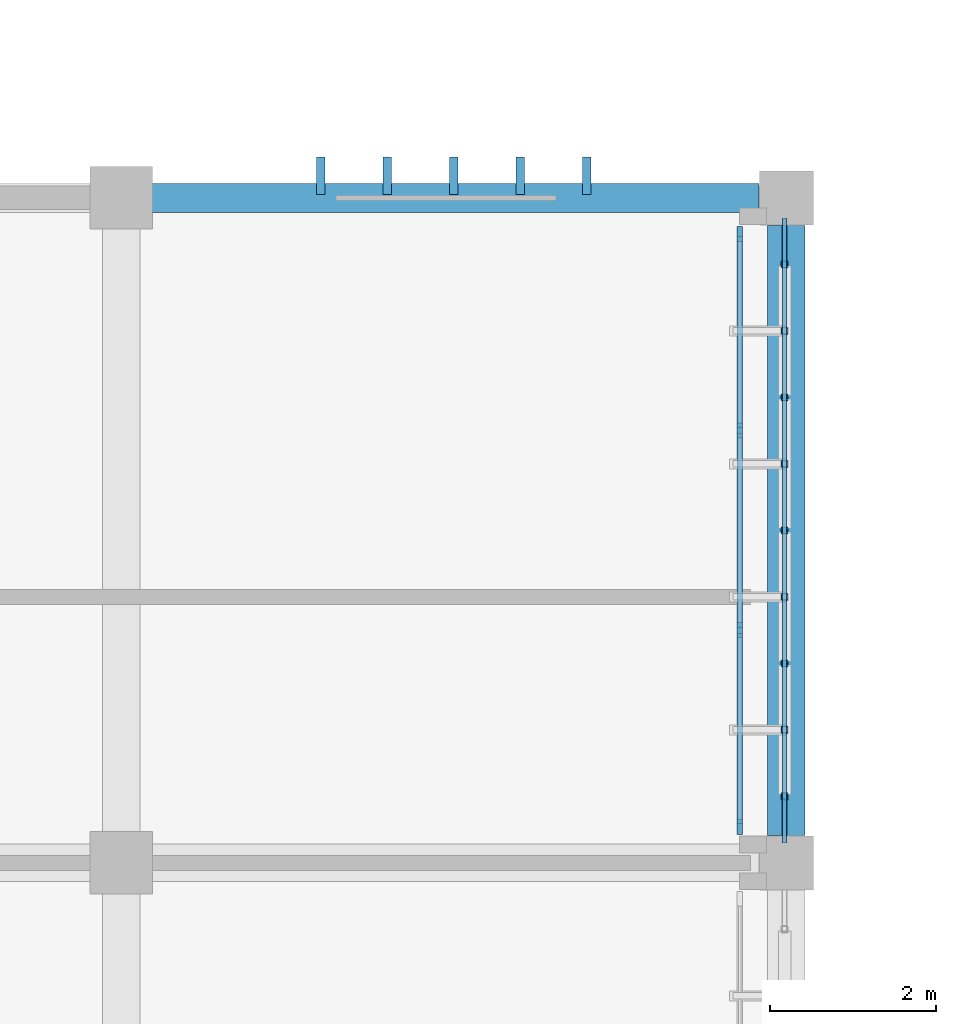
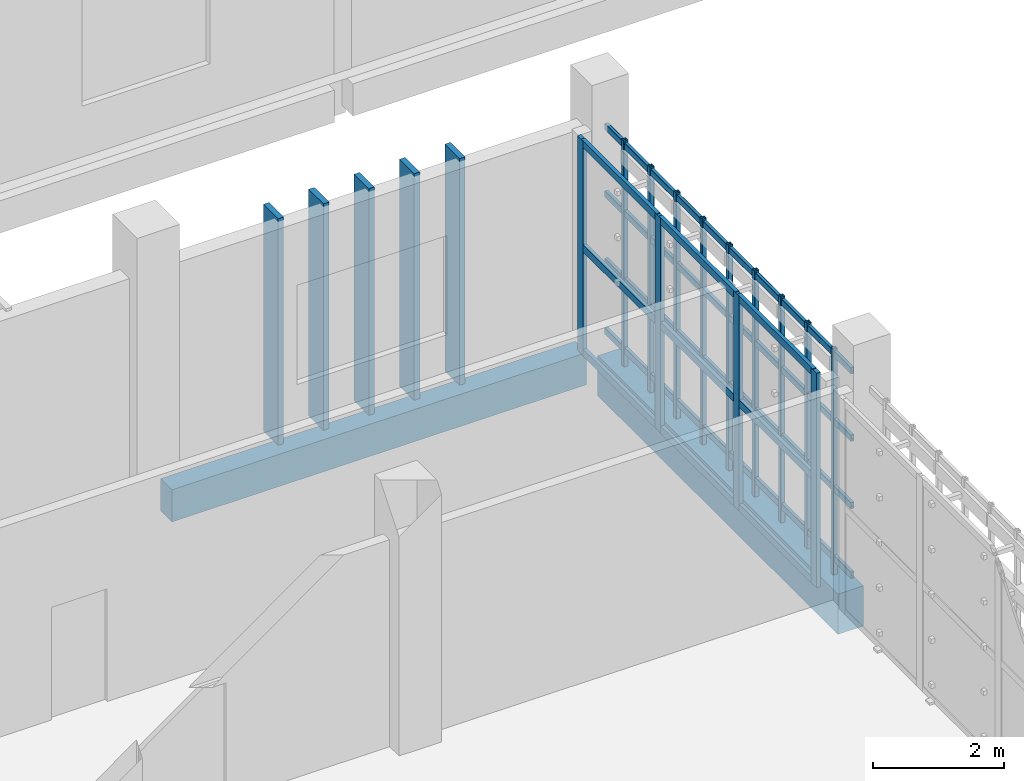
# One storey, part 64 of 106: 31 members, 2 beams, 1 element without a shape of its own.
"""IFC4 building model written with IfcOpenShell, lengths in metres."""

from ifc_helpers import new_model, si_unit, direction, frame, origin, origin_2d, place, context, subcontext, project, spatial, rectangle, hollow_rectangle, extrude, material, layer, layer_set, material_profile, profile_set, type_object, element, aggregate, save


model = new_model("IFC4")

# Units and contexts
model_context = context("Model", 3, precision=1e-05, world=origin(), true_north=direction((0.0, 1.0)))
body_context = subcontext(model_context, "Body", "Model", "MODEL_VIEW")
ifc_project = project(units=[si_unit("LENGTHUNIT", "METRE"), si_unit("AREAUNIT", "SQUARE_METRE"), si_unit("VOLUMEUNIT", "CUBIC_METRE"), si_unit("PLANEANGLEUNIT", "RADIAN"), si_unit("MASSUNIT", "GRAM", prefix="KILO")], contexts=[model_context])

# Site, building, storey
site_placement = place(None, origin())
site = spatial("IfcSite", under=ifc_project, at=site_placement, CompositionType="ELEMENT")
building_placement = place(site_placement, origin())
building = spatial("IfcBuilding", under=site, at=building_placement, Name="Jelvoka-Kovrelna Polytechnic", CompositionType="ELEMENT")
storey_placement = place(building_placement, frame((0.0, 0.0, 4.800048828125)))
storey = spatial("IfcBuildingStorey", under=building, at=storey_placement, Name="L02", CompositionType="ELEMENT", Elevation=4.800048828125)

# Beam
ifc_material_1 = material(Name="Concrete C40/50", Category="concrete")
ifc_material_profile_1 = material_profile(ifc_material_1, rectangle(XDim=0.449951171875, YDim=0.75, at=origin_2d()), Name="RC 450x750")
ifc_profile_set_1 = profile_set([ifc_material_profile_1], Name="Concrete C40/50")
beam_type_1 = type_object("IfcBeamType", Name="Beam_RC_450x750", PredefinedType="BEAM", material=ifc_profile_set_1)
beam_1_placement = place(storey_placement, frame((192.0, 64.330078125, -0.64013671875), z_axis=(0.0, 1.0, 0.0), x_axis=(-1.0, 0.0, 0.0)))
element("IfcBeam", 1, at=beam_1_placement, inside=storey, type_object=beam_type_1, Name="L02 beam 0838", PredefinedType="BEAM", context=body_context, shape_type="SweptSolid", body=[
    extrude(rectangle(XDim=0.449951171875, YDim=0.75, at=origin_2d()), origin(), (0.0, 0.0, 1.0), 7.33984375),
])

# Members
ifc_material_2 = material(Name="Precast concrete C40/50", Category="concrete")
ifc_material_profile_2 = material_profile(ifc_material_2, rectangle(XDim=0.10009765625, YDim=0.449951171875, at=origin_2d()), Name="PC 100x450")
ifc_profile_set_2 = profile_set([ifc_material_profile_2], Name="Precast concrete C40/50")
member_type_1 = type_object("IfcMemberType", Name="Louvre_Fin_100x450", PredefinedType="USERDEFINED", material=ifc_profile_set_2)
for number, where, z_axis, x_axis, name in (
    (2, (186.39990234375, 72.264892578125, -0.27001953125), (0.0, 0.0, 1.0), (1.0, 0.0, 0.0), "L02 B3 north vertical solar louvre fin 1456"),
    (3, (187.199951171875, 72.264892578125, -0.27001953125), (0.0, 0.0, 1.0), (1.0, 0.0, 0.0), "L02 B3 north vertical solar louvre fin 1457"),
    (4, (188.0, 72.264892578125, -0.27001953125), (0.0, 0.0, 1.0), (1.0, 0.0, 0.0), "L02 B3 north vertical solar louvre fin 1458"),
    (5, (188.800048828125, 72.264892578125, -0.27001953125), (0.0, 0.0, 1.0), (1.0, 0.0, 0.0), "L02 B3 north vertical solar louvre fin 1459"),
    (6, (189.60009765625, 72.264892578125, -0.27001953125), (0.0, 0.0, 1.0), (1.0, 0.0, 0.0), "L02 B3 north vertical solar louvre fin 1460"),
):
    element("IfcMember", number, at=place(storey_placement, frame(where, z_axis=z_axis, x_axis=x_axis)), inside=storey, type_object=member_type_1, Name=name, ObjectType="SUNSHADE", PredefinedType="USERDEFINED", context=body_context, shape_type="SweptSolid", body=[
        extrude(rectangle(XDim=0.10009765625, YDim=0.449951171875, at=origin_2d()), origin(), (0.0, 0.0, 1.0), 4.22998046875),
    ])
ifc_material_3 = material(Name="Structural steel S355J2H", Category="steel")
ifc_material_profile_3 = material_profile(ifc_material_3, hollow_rectangle(XDim=0.06005859375, YDim=0.1201171875, WallThickness=0.0048828125, InnerFilletRadius=0.0048828125, OuterFilletRadius=0.007568359375, at=origin_2d()), Name="120x60x5.0 RHS")
ifc_profile_set_3 = profile_set([ifc_material_profile_3], Name="Structural steel S355J2H")
member_type_2 = type_object("IfcMemberType", Name="Member_Strut_RHS120", PredefinedType="STRUT", material=ifc_profile_set_3)
for number, where, z_axis, x_axis, name in (
    (7, (191.97998046875, 64.239990234375, 0.079833984375), (0.0, 1.0, 0.0), (-1.0, 0.0, 0.0), "L02 terracotta screen horizontal strut 0664"),
    (8, (191.97998046875, 64.239990234375, 1.375244140625), (0.0, 1.0, 0.0), (-1.0, 0.0, 0.0), "L02 terracotta screen horizontal strut 0665"),
    (9, (191.97998046875, 64.239990234375, 2.632568359375), (0.0, 1.0, 0.0), (-1.0, 0.0, 0.0), "L02 terracotta screen horizontal strut 0666"),
    (10, (191.97998046875, 64.239990234375, 3.889892578125), (0.0, 1.0, 0.0), (-1.0, 0.0, 0.0), "L02 terracotta screen horizontal strut 0667"),
):
    element("IfcMember", number, at=place(storey_placement, frame(where, z_axis=z_axis, x_axis=x_axis)), inside=storey, type_object=member_type_2, Name=name, PredefinedType="STRUT", context=body_context, shape_type="SweptSolid", body=[
        extrude(hollow_rectangle(XDim=0.06005859375, YDim=0.1201171875, WallThickness=0.0048828125, InnerFilletRadius=0.0048828125, OuterFilletRadius=0.007568359375, at=origin_2d()), origin(), (0.0, 0.0, 1.0), 7.52001953125),
    ])
ifc_material_4 = material(Name="Structural steel S355J2H", Category="steel")
ifc_material_profile_4 = material_profile(ifc_material_4, hollow_rectangle(XDim=0.080078125, YDim=0.080078125, WallThickness=0.0048828125, InnerFilletRadius=0.0048828125, OuterFilletRadius=0.007568359375, at=origin_2d()), Name="80x80x5.0 SHS")
ifc_profile_set_4 = profile_set([ifc_material_profile_4], Name="Structural steel S355J2H")
member_type_3 = type_object("IfcMemberType", Name="Member_Strut_SHS80", PredefinedType="STRUT", material=ifc_profile_set_4)
for number, where, z_axis, x_axis, name in (
    (11, (191.97998046875, 64.800048828125, -0.22998046875), (0.0, 0.0, 1.0), (1.0, 0.0, 0.0), "L02 terracotta lattice vertical rib 0668"),
    (12, (191.97998046875, 65.60009765625, -0.22998046875), (0.0, 0.0, 1.0), (1.0, 0.0, 0.0), "L02 terracotta lattice vertical rib 0669"),
    (13, (191.97998046875, 66.39990234375, -0.22998046875), (0.0, 0.0, 1.0), (1.0, 0.0, 0.0), "L02 terracotta lattice vertical rib 0670"),
    (14, (191.97998046875, 67.199951171875, -0.22998046875), (0.0, 0.0, 1.0), (1.0, 0.0, 0.0), "L02 terracotta lattice vertical rib 0671"),
    (15, (191.97998046875, 68.0, -0.22998046875), (0.0, 0.0, 1.0), (1.0, 0.0, 0.0), "L02 terracotta lattice vertical rib 0672"),
    (16, (191.97998046875, 68.800048828125, -0.22998046875), (0.0, 0.0, 1.0), (1.0, 0.0, 0.0), "L02 terracotta lattice vertical rib 0673"),
    (17, (191.97998046875, 69.60009765625, -0.22998046875), (0.0, 0.0, 1.0), (1.0, 0.0, 0.0), "L02 terracotta lattice vertical rib 0674"),
    (18, (191.97998046875, 70.39990234375, -0.22998046875), (0.0, 0.0, 1.0), (1.0, 0.0, 0.0), "L02 terracotta lattice vertical rib 0675"),
    (19, (191.97998046875, 71.199951171875, -0.22998046875), (0.0, 0.0, 1.0), (1.0, 0.0, 0.0), "L02 terracotta lattice vertical rib 0676"),
):
    element("IfcMember", number, at=place(storey_placement, frame(where, z_axis=z_axis, x_axis=x_axis)), inside=storey, type_object=member_type_3, Name=name, PredefinedType="STRUT", context=body_context, shape_type="SweptSolid", body=[
        extrude(hollow_rectangle(XDim=0.080078125, YDim=0.080078125, WallThickness=0.0048828125, InnerFilletRadius=0.0048828125, OuterFilletRadius=0.007568359375, at=origin_2d()), origin(), (0.0, 0.0, 1.0), 4.2099609375),
    ])

# Curtain wall, members
ifc_material_5 = material(Name="Anodised aluminium 6063-T6", Category="aluminium")
ifc_layer = layer(ifc_material_5, 0.179931640625)
ifc_layer_set = layer_set([ifc_layer], Name="Anodised aluminium 6063-T6")
curtain_wall_type = type_object("IfcCurtainWallType", Name="CW_Recessed_B", PredefinedType="NOTDEFINED", material=ifc_layer_set)
curtain_wall_placement = place(storey_placement, origin())
curtain_wall = element("IfcCurtainWall", 20, at=curtain_wall_placement, inside=storey, type_object=curtain_wall_type, Name="L02 glazed curtain wall 084", PredefinedType="NOTDEFINED")
ifc_material_6 = material(Name="Anodised aluminium 6063-T6", Category="aluminium")
ifc_material_profile_5 = material_profile(ifc_material_6, rectangle(XDim=0.06494140625, YDim=0.179931640625, at=origin_2d()), Name="ALU 65x180")
ifc_profile_set_5 = profile_set([ifc_material_profile_5], Name="Anodised aluminium 6063-T6")
member_type_4 = type_object("IfcMemberType", Name="Mullion_M-02", PredefinedType="MULLION", material=ifc_profile_set_5)
member_1_placement = place(storey_placement, frame((191.43994140625, 71.5673828125, -0.02490234375), z_axis=(0.0, 0.0, 1.0), x_axis=(1.0, 0.0, 0.0)))
member_1 = element("IfcMember", 21, at=member_1_placement, type_object=member_type_4, Name="CW-02 mullion 1", PredefinedType="MULLION", context=body_context, shape_type="SweptSolid", body=[
    extrude(rectangle(XDim=0.06494140625, YDim=0.179931640625, at=origin_2d()), origin(), (0.0, 0.0, 1.0), 4.0),
])
member_2_placement = place(storey_placement, frame((191.43994140625, 69.199951171875, -0.02490234375), z_axis=(0.0, 0.0, 1.0), x_axis=(1.0, 0.0, 0.0)))
member_2 = element("IfcMember", 22, at=member_2_placement, type_object=member_type_4, Name="CW-02 mullion 2", PredefinedType="MULLION", context=body_context, shape_type="SweptSolid", body=[
    extrude(rectangle(XDim=0.06494140625, YDim=0.179931640625, at=origin_2d()), origin(), (0.0, 0.0, 1.0), 4.0),
])
member_3_placement = place(storey_placement, frame((191.43994140625, 66.800048828125, -0.02490234375), z_axis=(0.0, 0.0, 1.0), x_axis=(1.0, 0.0, 0.0)))
member_3 = element("IfcMember", 23, at=member_3_placement, type_object=member_type_4, Name="CW-02 mullion 3", PredefinedType="MULLION", context=body_context, shape_type="SweptSolid", body=[
    extrude(rectangle(XDim=0.06494140625, YDim=0.179931640625, at=origin_2d()), origin(), (0.0, 0.0, 1.0), 4.0),
])
member_4_placement = place(storey_placement, frame((191.43994140625, 64.4326171875, -0.02490234375), z_axis=(0.0, 0.0, 1.0), x_axis=(1.0, 0.0, 0.0)))
member_4 = element("IfcMember", 24, at=member_4_placement, type_object=member_type_4, Name="CW-02 mullion 4", PredefinedType="MULLION", context=body_context, shape_type="SweptSolid", body=[
    extrude(rectangle(XDim=0.06494140625, YDim=0.179931640625, at=origin_2d()), origin(), (0.0, 0.0, 1.0), 4.0),
])

# Beam
ifc_material_7 = material(Name="Concrete C40/50", Category="concrete")
ifc_material_profile_6 = material_profile(ifc_material_7, rectangle(XDim=0.35009765625, YDim=0.60009765625, at=origin_2d()), Name="RC 350x600")
ifc_profile_set_6 = profile_set([ifc_material_profile_6], Name="Concrete C40/50")
beam_type_2 = type_object("IfcBeamType", Name="Spandrel_RC_350x600", PredefinedType="SPANDREL", material=ifc_profile_set_6)
beam_2_placement = place(storey_placement, frame((184.35498046875, 72.0, -0.56494140625), z_axis=(1.0, 0.0, 0.0), x_axis=(0.0, 1.0, 0.0)))
element("IfcBeam", 25, at=beam_2_placement, inside=storey, type_object=beam_type_2, Name="L02 beam 0818", PredefinedType="SPANDREL", context=body_context, shape_type="SweptSolid", body=[
    extrude(rectangle(XDim=0.35009765625, YDim=0.60009765625, at=origin_2d()), origin(), (0.0, 0.0, 1.0), 7.31494140625),
])

# Member
ifc_material_8 = material(Name="Anodised aluminium 6063-T6", Category="aluminium")
ifc_material_profile_7 = material_profile(ifc_material_8, rectangle(XDim=0.06494140625, YDim=0.135009765625, at=origin_2d()), Name="ALU 65x135")
ifc_profile_set_7 = profile_set([ifc_material_profile_7], Name="Anodised aluminium 6063-T6")
member_type_5 = type_object("IfcMemberType", Name="Transom_T-02", PredefinedType="USERDEFINED", material=ifc_profile_set_7)
member_5_placement = place(storey_placement, frame((191.43994140625, 71.534912109375, 0.032470703125), z_axis=(0.0, -1.0, 0.0), x_axis=(1.0, 0.0, 0.0)))
member_5 = element("IfcMember", 26, at=member_5_placement, type_object=member_type_5, Name="CW-02 transom 1.1", ObjectType="TRANSOM", PredefinedType="USERDEFINED", context=body_context, shape_type="SweptSolid", body=[
    extrude(rectangle(XDim=0.06494140625, YDim=0.135009765625, at=origin_2d()), origin(), (0.0, 0.0, 1.0), 2.302490234375),
])

member_6_placement = place(storey_placement, frame((191.43994140625, 71.534912109375, 1.974853515625), z_axis=(0.0, -1.0, 0.0), x_axis=(1.0, 0.0, 0.0)))
member_6 = element("IfcMember", 27, at=member_6_placement, type_object=member_type_5, Name="CW-02 transom 1.2", ObjectType="TRANSOM", PredefinedType="USERDEFINED", context=body_context, shape_type="SweptSolid", body=[
    extrude(rectangle(XDim=0.06494140625, YDim=0.135009765625, at=origin_2d()), origin(), (0.0, 0.0, 1.0), 2.302490234375),
])

member_7_placement = place(storey_placement, frame((191.43994140625, 71.534912109375, 3.91748046875), z_axis=(0.0, -1.0, 0.0), x_axis=(1.0, 0.0, 0.0)))
member_7 = element("IfcMember", 28, at=member_7_placement, type_object=member_type_5, Name="CW-02 transom 1.3", ObjectType="TRANSOM", PredefinedType="USERDEFINED", context=body_context, shape_type="SweptSolid", body=[
    extrude(rectangle(XDim=0.06494140625, YDim=0.135009765625, at=origin_2d()), origin(), (0.0, 0.0, 1.0), 2.302490234375),
])

member_8_placement = place(storey_placement, frame((191.43994140625, 69.16748046875, 0.032470703125), z_axis=(0.0, -1.0, 0.0), x_axis=(1.0, 0.0, 0.0)))
member_8 = element("IfcMember", 29, at=member_8_placement, type_object=member_type_5, Name="CW-02 transom 2.1", ObjectType="TRANSOM", PredefinedType="USERDEFINED", context=body_context, shape_type="SweptSolid", body=[
    extrude(rectangle(XDim=0.06494140625, YDim=0.135009765625, at=origin_2d()), origin(), (0.0, 0.0, 1.0), 2.3349609375),
])

member_9_placement = place(storey_placement, frame((191.43994140625, 69.16748046875, 1.974853515625), z_axis=(0.0, -1.0, 0.0), x_axis=(1.0, 0.0, 0.0)))
member_9 = element("IfcMember", 30, at=member_9_placement, type_object=member_type_5, Name="CW-02 transom 2.2", ObjectType="TRANSOM", PredefinedType="USERDEFINED", context=body_context, shape_type="SweptSolid", body=[
    extrude(rectangle(XDim=0.06494140625, YDim=0.135009765625, at=origin_2d()), origin(), (0.0, 0.0, 1.0), 2.3349609375),
])

member_10_placement = place(storey_placement, frame((191.43994140625, 69.16748046875, 3.91748046875), z_axis=(0.0, -1.0, 0.0), x_axis=(1.0, 0.0, 0.0)))
member_10 = element("IfcMember", 31, at=member_10_placement, type_object=member_type_5, Name="CW-02 transom 2.3", ObjectType="TRANSOM", PredefinedType="USERDEFINED", context=body_context, shape_type="SweptSolid", body=[
    extrude(rectangle(XDim=0.06494140625, YDim=0.135009765625, at=origin_2d()), origin(), (0.0, 0.0, 1.0), 2.3349609375),
])

member_11_placement = place(storey_placement, frame((191.43994140625, 66.767578125, 0.032470703125), z_axis=(0.0, -1.0, 0.0), x_axis=(1.0, 0.0, 0.0)))
member_11 = element("IfcMember", 32, at=member_11_placement, type_object=member_type_5, Name="CW-02 transom 3.1", ObjectType="TRANSOM", PredefinedType="USERDEFINED", context=body_context, shape_type="SweptSolid", body=[
    extrude(rectangle(XDim=0.06494140625, YDim=0.135009765625, at=origin_2d()), origin(), (0.0, 0.0, 1.0), 2.302490234375),
])

member_12_placement = place(storey_placement, frame((191.43994140625, 66.767578125, 1.974853515625), z_axis=(0.0, -1.0, 0.0), x_axis=(1.0, 0.0, 0.0)))
member_12 = element("IfcMember", 33, at=member_12_placement, type_object=member_type_5, Name="CW-02 transom 3.2", ObjectType="TRANSOM", PredefinedType="USERDEFINED", context=body_context, shape_type="SweptSolid", body=[
    extrude(rectangle(XDim=0.06494140625, YDim=0.135009765625, at=origin_2d()), origin(), (0.0, 0.0, 1.0), 2.302490234375),
])

member_13_placement = place(storey_placement, frame((191.43994140625, 66.767578125, 3.91748046875), z_axis=(0.0, -1.0, 0.0), x_axis=(1.0, 0.0, 0.0)))
member_13 = element("IfcMember", 34, at=member_13_placement, type_object=member_type_5, Name="CW-02 transom 3.3", ObjectType="TRANSOM", PredefinedType="USERDEFINED", context=body_context, shape_type="SweptSolid", body=[
    extrude(rectangle(XDim=0.06494140625, YDim=0.135009765625, at=origin_2d()), origin(), (0.0, 0.0, 1.0), 2.302490234375),
])

aggregate(curtain_wall, [member_1, member_2, member_3, member_4, member_5, member_6, member_7, member_8, member_9, member_10, member_11, member_12, member_13])

save(model, "model.ifc")
